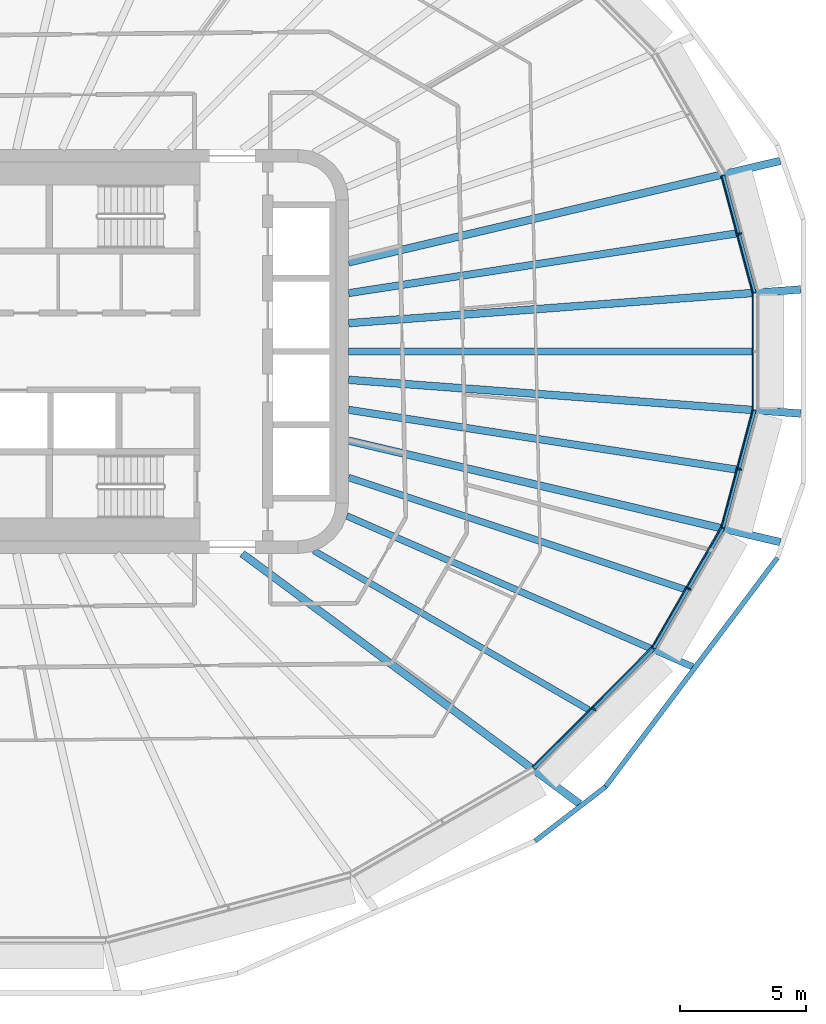
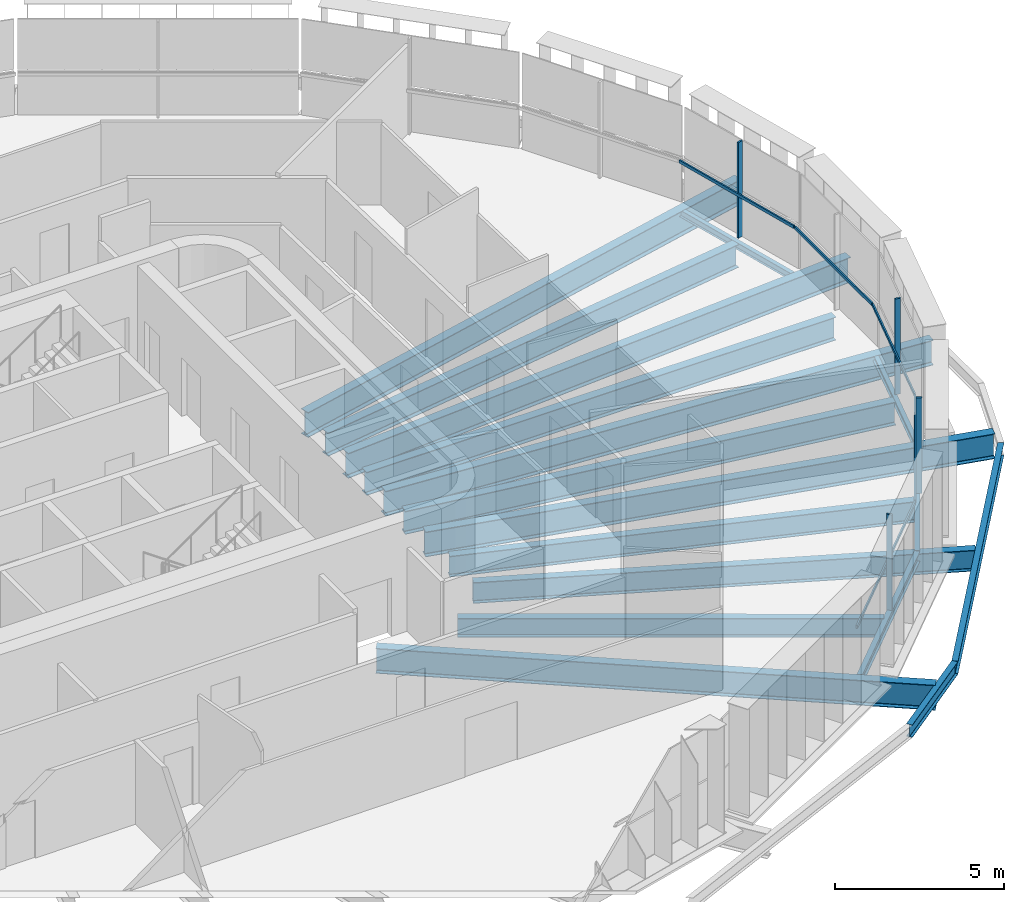
# One storey, part 4 of 23: 17 beams, 9 members, 5 elements without a shape of their own.
"""IFC4 building model written with IfcOpenShell, lengths in metres."""

from ifc_helpers import new_model, si_unit, direction, frame, origin, origin_2d, place, context, subcontext, project, spatial, rectangle, i_section, extrude, material, layer, layer_set, material_profile, profile_set, type_object, element, aggregate, save


model = new_model("IFC4")

# Units and contexts
model_context = context("Model", 3, precision=1e-05, world=origin(), true_north=direction((0.0, 1.0)))
body_context = subcontext(model_context, "Body", "Model", "MODEL_VIEW")
ifc_project = project(units=[si_unit("LENGTHUNIT", "METRE"), si_unit("AREAUNIT", "SQUARE_METRE"), si_unit("VOLUMEUNIT", "CUBIC_METRE"), si_unit("PLANEANGLEUNIT", "RADIAN"), si_unit("MASSUNIT", "GRAM", prefix="KILO")], contexts=[model_context])

# Site, building, storey
site_placement = place(None, origin())
site = spatial("IfcSite", under=ifc_project, at=site_placement, CompositionType="ELEMENT")
building_placement = place(site_placement, origin())
building = spatial("IfcBuilding", under=site, at=building_placement, Name="Sahrelin Media Tower", CompositionType="ELEMENT")
storey_placement = place(building_placement, frame((0.0, 0.0, 169.60009765625)))
storey = spatial("IfcBuildingStorey", under=building, at=storey_placement, Name="L35", CompositionType="ELEMENT", Elevation=169.60009765625)

# Beams
ifc_material_1 = material(Name="Steel S355", Category="steel")
ifc_material_profile_1 = material_profile(ifc_material_1, i_section(OverallWidth=0.14599609375, OverallDepth=0.25146484375, WebThickness=0.006103515625, FlangeThickness=0.008544921875, FilletRadius=0.007568359375, at=origin_2d()), Name="UB 254x146x31")
ifc_profile_set_1 = profile_set([ifc_material_profile_1], Name="Steel S355")
beam_type_1 = type_object("IfcBeamType", Name="Edge beam EB1", PredefinedType="BEAM", material=ifc_profile_set_1)
for number, where, z_axis, x_axis, name in (
    (1, (31.062744140625, -2.32666015625, -0.27587890625), (-0.258802892951, -0.9659301541, 0.0), (0.9659301541, -0.258802892951, 0.0), "Edge beam L35-02"),
    (2, (29.81787109375, 6.972900390625, -0.27587890625), (0.258802892951, -0.9659301541, 0.0), (0.9659301541, 0.258802892951, 0.0), "Edge beam L35-24"),
):
    element("IfcBeam", number, at=place(storey_placement, frame(where, z_axis=z_axis, x_axis=x_axis)), inside=storey, type_object=beam_type_1, Name=name, PredefinedType="BEAM", context=body_context, shape_type="SweptSolid", body=[
        extrude(i_section(OverallWidth=0.14599609375, OverallDepth=0.25146484375, WebThickness=0.006103515625, FlangeThickness=0.008544921875, FilletRadius=0.007568359375, at=origin_2d()), origin(), (0.0, 0.0, 1.0), 4.81005859375),
    ])
ifc_material_profile_2 = material_profile(ifc_material_1, i_section(OverallWidth=0.1650390625, OverallDepth=0.303466796875, WebThickness=0.006103515625, FlangeThickness=0.01025390625, FilletRadius=0.0087890625, at=origin_2d()), Name="UB 305x165x40")
ifc_profile_set_2 = profile_set([ifc_material_profile_2], Name="Steel S355")
beam_type_2 = type_object("IfcBeamType", Name="Edge beam EB2", PredefinedType="BEAM", material=ifc_profile_set_2)
beam_1_placement = place(storey_placement, frame((29.806884765625, -6.99951171875, -0.3017578125), z_axis=(-0.500008994894, -0.866020210518, 0.0), x_axis=(0.866020210518, -0.500008994894, 0.0)))
element("IfcBeam", 3, at=beam_1_placement, inside=storey, type_object=beam_type_2, Name="Edge beam L35-03", PredefinedType="BEAM", context=body_context, shape_type="SweptSolid", body=[
    extrude(i_section(OverallWidth=0.1650390625, OverallDepth=0.303466796875, WebThickness=0.006103515625, FlangeThickness=0.01025390625, FilletRadius=0.0087890625, at=origin_2d()), origin(), (0.0, 0.0, 1.0), 5.482421875),
])
ifc_material_profile_3 = material_profile(ifc_material_1, i_section(OverallWidth=0.17138671875, OverallDepth=0.35498046875, WebThickness=0.00732421875, FlangeThickness=0.011474609375, FilletRadius=0.01025390625, at=origin_2d()), Name="UB 356x171x51")
ifc_profile_set_3 = profile_set([ifc_material_profile_3], Name="Steel S355")
beam_type_3 = type_object("IfcBeamType", Name="Edge beam EB3", PredefinedType="BEAM", material=ifc_profile_set_3)
beam_2_placement = place(storey_placement, frame((27.048095703125, -11.77001953125, -0.32763671875), z_axis=(-0.707106781187, -0.707106781187, 0.0), x_axis=(0.707106781187, -0.707106781187, 0.0)))
element("IfcBeam", 4, at=beam_2_placement, inside=storey, type_object=beam_type_3, Name="Edge beam L35-04", PredefinedType="BEAM", context=body_context, shape_type="SweptSolid", body=[
    extrude(i_section(OverallWidth=0.17138671875, OverallDepth=0.35498046875, WebThickness=0.00732421875, FlangeThickness=0.011474609375, FilletRadius=0.01025390625, at=origin_2d()), origin(), (0.0, 0.0, 1.0), 6.675048828125),
])

# Curtain wall, member
ifc_material_2 = material(Name="Champagne anodised aluminium 6063-T6", Category="aluminium")
ifc_layer = layer(ifc_material_2, 0.14990234375)
ifc_layer_set = layer_set([ifc_layer], Name="Tower ribbon curtain wall")
curtain_wall_type = type_object("IfcCurtainWallType", Name="Tower ribbon curtain wall", PredefinedType="NOTDEFINED", material=ifc_layer_set)
curtain_wall_1_placement = place(storey_placement, frame((30.585205078125, 4.6884765625, 0.0), z_axis=(0.0, 0.0, 1.0), x_axis=(1.0, 0.0, 0.0)))
curtain_wall_1 = element("IfcCurtainWall", 5, at=curtain_wall_1_placement, inside=storey, type_object=curtain_wall_type, Name="L35:CW:L35-01", PredefinedType="NOTDEFINED")
ifc_material_profile_4 = material_profile(ifc_material_2, rectangle(XDim=0.06005859375, YDim=0.175048828125, at=origin_2d()), Name="Mullion 60x175")
ifc_profile_set_4 = profile_set([ifc_material_profile_4], Name="Champagne anodised aluminium 6063-T6")
member_type_1 = type_object("IfcMemberType", Name="Mullion 60x175 CW1B", PredefinedType="MULLION", material=ifc_profile_set_4)
member_1_placement = place(storey_placement, frame((30.4814453125, 4.66064453125, 0.0), z_axis=(0.0, 0.0, 1.0), x_axis=(-0.258808929937, 0.965928536583, 0.0)))
member_1 = element("IfcMember", 6, at=member_1_placement, type_object=member_type_1, Name="L35:CWM:L35-01", PredefinedType="MULLION", context=body_context, shape_type="SweptSolid", body=[
    extrude(rectangle(XDim=0.06005859375, YDim=0.175048828125, at=origin_2d()), origin(), (0.0, 0.0, 1.0), 3.448486328125),
])

curtain_wall_2_placement = place(storey_placement, frame((24.794189453125, -14.236083984375, 0.0), z_axis=(0.0, 0.0, 1.0), x_axis=(1.0, 0.0, 0.0)))
curtain_wall_2 = element("IfcCurtainWall", 7, at=curtain_wall_2_placement, inside=storey, type_object=curtain_wall_type, Name="L35:CW:L35-21", PredefinedType="NOTDEFINED")
member_2_placement = place(storey_placement, frame((24.71826171875, -14.16015625, 0.0), z_axis=(0.0, 0.0, 1.0), x_axis=(0.707106781187, 0.707106781187, 0.0)))
member_2 = element("IfcMember", 8, at=member_2_placement, type_object=member_type_1, Name="L35:CWM:L35-21", PredefinedType="MULLION", context=body_context, shape_type="SweptSolid", body=[
    extrude(rectangle(XDim=0.06005859375, YDim=0.175048828125, at=origin_2d()), origin(), (0.0, 0.0, 1.0), 3.448486328125),
])

curtain_wall_3_placement = place(storey_placement, frame((28.566162109375, -9.4482421875, 0.0), z_axis=(0.0, 0.0, 1.0), x_axis=(1.0, 0.0, 0.0)))
curtain_wall_3 = element("IfcCurtainWall", 9, at=curtain_wall_3_placement, inside=storey, type_object=curtain_wall_type, Name="L35:CW:L35-22", PredefinedType="NOTDEFINED")
member_3_placement = place(storey_placement, frame((28.47314453125, -9.39453125, 0.0), z_axis=(0.0, 0.0, 1.0), x_axis=(0.500009068969, 0.866020167749, 0.0)))
member_3 = element("IfcMember", 10, at=member_3_placement, type_object=member_type_1, Name="L35:CWM:L35-22", PredefinedType="MULLION", context=body_context, shape_type="SweptSolid", body=[
    extrude(rectangle(XDim=0.06005859375, YDim=0.175048828125, at=origin_2d()), origin(), (0.0, 0.0, 1.0), 3.448486328125),
])

curtain_wall_4_placement = place(storey_placement, frame((30.585205078125, -4.6884765625, 0.0), z_axis=(0.0, 0.0, 1.0), x_axis=(1.0, 0.0, 0.0)))
curtain_wall_4 = element("IfcCurtainWall", 11, at=curtain_wall_4_placement, inside=storey, type_object=curtain_wall_type, Name="L35:CW:L35-23", PredefinedType="NOTDEFINED")
member_4_placement = place(storey_placement, frame((30.4814453125, -4.66064453125, 0.0), z_axis=(0.0, 0.0, 1.0), x_axis=(0.258808929937, 0.965928536583, 0.0)))
member_4 = element("IfcMember", 12, at=member_4_placement, type_object=member_type_1, Name="L35:CWM:L35-23", PredefinedType="MULLION", context=body_context, shape_type="SweptSolid", body=[
    extrude(rectangle(XDim=0.06005859375, YDim=0.175048828125, at=origin_2d()), origin(), (0.0, 0.0, 1.0), 3.448486328125),
])

# Beams
ifc_material_profile_5 = material_profile(ifc_material_1, i_section(OverallWidth=0.30322265625, OverallDepth=0.903076171875, WebThickness=0.01513671875, FlangeThickness=0.020263671875, FilletRadius=0.01904296875, at=origin_2d()), Name="UB 914x305x201")
ifc_profile_set_5 = profile_set([ifc_material_profile_5], Name="Steel S355")
beam_type_4 = type_object("IfcBeamType", Name="Radial primary beam PB11", PredefinedType="BEAM", material=ifc_profile_set_5)
beam_3_placement = place(storey_placement, frame((15.0, 1.120849609375, -0.6015625), z_axis=(0.997220571092, 0.074505923192, 0.0), x_axis=(-0.074505923192, 0.997220571092, 0.0)))
element("IfcBeam", 13, at=beam_3_placement, inside=storey, type_object=beam_type_4, Name="Radial beam L35-01", PredefinedType="BEAM", context=body_context, shape_type="SweptSolid", body=[
    extrude(i_section(OverallWidth=0.30322265625, OverallDepth=0.903076171875, WebThickness=0.01513671875, FlangeThickness=0.020263671875, FilletRadius=0.01904296875, at=origin_2d()), origin(), (0.0, 0.0, 1.0), 17.9501953125),
])
beam_4_placement = place(storey_placement, frame((15.0, 3.52783203125, -0.6015625), z_axis=(0.973441602467, 0.228935463803, 0.0), x_axis=(-0.228935463803, 0.973441602467, 0.0)))
element("IfcBeam", 14, at=beam_4_placement, inside=storey, type_object=beam_type_4, Name="Radial beam L35-02", PredefinedType="BEAM", context=body_context, shape_type="SweptSolid", body=[
    extrude(i_section(OverallWidth=0.30322265625, OverallDepth=0.903076171875, WebThickness=0.01513671875, FlangeThickness=0.020263671875, FilletRadius=0.01904296875, at=origin_2d()), origin(), (0.0, 0.0, 1.0), 17.555419921875),
])
beam_5_placement = place(storey_placement, frame((10.786865234375, -8.0, -0.6015625), z_axis=(0.803209298221, -0.595696922311, 0.0), x_axis=(0.595696922311, 0.803209298221, 0.0)))
element("IfcBeam", 15, at=beam_5_placement, inside=storey, type_object=beam_type_4, Name="Radial beam L35-21", PredefinedType="BEAM", context=body_context, shape_type="SweptSolid", body=[
    extrude(i_section(OverallWidth=0.30322265625, OverallDepth=0.903076171875, WebThickness=0.01513671875, FlangeThickness=0.020263671875, FilletRadius=0.01904296875, at=origin_2d()), origin(), (0.0, 0.0, 1.0), 16.627685546875),
])
beam_6_placement = place(storey_placement, frame((15.0, -3.52783203125, -0.6015625), z_axis=(0.973441602467, -0.228935463803, 0.0), x_axis=(0.228935463803, 0.973441602467, 0.0)))
element("IfcBeam", 16, at=beam_6_placement, inside=storey, type_object=beam_type_4, Name="Radial beam L35-23", PredefinedType="BEAM", context=body_context, shape_type="SweptSolid", body=[
    extrude(i_section(OverallWidth=0.30322265625, OverallDepth=0.903076171875, WebThickness=0.01513671875, FlangeThickness=0.020263671875, FilletRadius=0.01904296875, at=origin_2d()), origin(), (0.0, 0.0, 1.0), 17.555419921875),
])
beam_7_placement = place(storey_placement, frame((15.0, -1.120849609375, -0.6015625), z_axis=(0.997220571092, -0.074505923192, 0.0), x_axis=(0.074505923192, 0.997220571092, 0.0)))
element("IfcBeam", 17, at=beam_7_placement, inside=storey, type_object=beam_type_4, Name="Radial beam L35-24", PredefinedType="BEAM", context=body_context, shape_type="SweptSolid", body=[
    extrude(i_section(OverallWidth=0.30322265625, OverallDepth=0.903076171875, WebThickness=0.01513671875, FlangeThickness=0.020263671875, FilletRadius=0.01904296875, at=origin_2d()), origin(), (0.0, 0.0, 1.0), 17.9501953125),
])
ifc_material_profile_6 = material_profile(ifc_material_1, i_section(OverallWidth=0.26513671875, OverallDepth=0.75390625, WebThickness=0.0126953125, FlangeThickness=0.017578125, FilletRadius=0.0166015625, at=origin_2d()), Name="UB 762x267x147")
ifc_profile_set_6 = profile_set([ifc_material_profile_6], Name="Steel S355")
beam_type_5 = type_object("IfcBeamType", Name="Radial primary beam PB9", PredefinedType="BEAM", material=ifc_profile_set_6)
beam_8_placement = place(storey_placement, frame((14.9326171875, -6.51171875, -0.527099609375), z_axis=(0.916635140425, -0.399724929594, 0.0), x_axis=(0.399724929594, 0.916635140425, 0.0)))
element("IfcBeam", 18, at=beam_8_placement, inside=storey, type_object=beam_type_5, Name="Radial beam L35-22", PredefinedType="BEAM", context=body_context, shape_type="SweptSolid", body=[
    extrude(i_section(OverallWidth=0.26513671875, OverallDepth=0.75390625, WebThickness=0.0126953125, FlangeThickness=0.017578125, FilletRadius=0.0166015625, at=origin_2d()), origin(), (0.0, 0.0, 1.0), 14.931640625),
])
ifc_material_profile_7 = material_profile(ifc_material_1, i_section(OverallWidth=0.291748046875, OverallDepth=0.8349609375, WebThickness=0.013916015625, FlangeThickness=0.018798828125, FilletRadius=0.017822265625, at=origin_2d()), Name="UB 838x292x176")
ifc_profile_set_7 = profile_set([ifc_material_profile_7], Name="Steel S355")
beam_type_6 = type_object("IfcBeamType", Name="Radial secondary beam SB10", PredefinedType="BEAM", material=ifc_profile_set_7)
for number, where, z_axis, x_axis, name in (
    (19, (15.0, 2.309814453125, -0.567626953125), (0.988352436235, 0.152182330737, 0.0), (-0.152182330737, 0.988352436235, 0.0), "Secondary beam L35-01"),
    (20, (15.0, -2.309814453125, -0.567626953125), (0.988352436235, -0.152182330737, 0.0), (0.152182330737, 0.988352436235, 0.0), "Secondary beam L35-23"),
):
    element("IfcBeam", number, at=place(storey_placement, frame(where, z_axis=z_axis, x_axis=x_axis)), inside=storey, type_object=beam_type_6, Name=name, PredefinedType="BEAM", context=body_context, shape_type="SweptSolid", body=[
        extrude(i_section(OverallWidth=0.291748046875, OverallDepth=0.8349609375, WebThickness=0.013916015625, FlangeThickness=0.018798828125, FilletRadius=0.017822265625, at=origin_2d()), origin(), (0.0, 0.0, 1.0), 15.538818359375),
    ])
beam_9_placement = place(storey_placement, frame((15.0, 0.0, -0.567626953125), z_axis=(1.0, 0.0, 0.0), x_axis=(0.0, 1.0, 0.0)))
element("IfcBeam", 21, at=beam_9_placement, inside=storey, type_object=beam_type_6, Name="Secondary beam L35-24", PredefinedType="BEAM", context=body_context, shape_type="SweptSolid", body=[
    extrude(i_section(OverallWidth=0.291748046875, OverallDepth=0.8349609375, WebThickness=0.013916015625, FlangeThickness=0.018798828125, FilletRadius=0.017822265625, at=origin_2d()), origin(), (0.0, 0.0, 1.0), 15.993408203125),
])
ifc_material_profile_8 = material_profile(ifc_material_1, i_section(OverallWidth=0.2529296875, OverallDepth=0.677978515625, WebThickness=0.01171875, FlangeThickness=0.01611328125, FilletRadius=0.01513671875, at=origin_2d()), Name="UB 686x254x125")
ifc_profile_set_8 = profile_set([ifc_material_profile_8], Name="Steel S355")
beam_type_7 = type_object("IfcBeamType", Name="Radial secondary beam SB8", PredefinedType="BEAM", material=ifc_profile_set_8)
beam_10_placement = place(storey_placement, frame((13.62646484375, -7.88671875, -0.489013671875), z_axis=(0.865485648512, -0.500933720386, 0.0), x_axis=(0.500933720386, 0.865485648512, 0.0)))
element("IfcBeam", 22, at=beam_10_placement, inside=storey, type_object=beam_type_7, Name="Secondary beam L35-21", PredefinedType="BEAM", context=body_context, shape_type="SweptSolid", body=[
    extrude(i_section(OverallWidth=0.2529296875, OverallDepth=0.677978515625, WebThickness=0.01171875, FlangeThickness=0.01611328125, FilletRadius=0.01513671875, at=origin_2d()), origin(), (0.0, 0.0, 1.0), 12.57568359375),
])
ifc_material_profile_9 = material_profile(ifc_material_1, i_section(OverallWidth=0.26513671875, OverallDepth=0.75390625, WebThickness=0.0126953125, FlangeThickness=0.017578125, FilletRadius=0.0166015625, at=origin_2d()), Name="UB 762x267x147")
ifc_profile_set_9 = profile_set([ifc_material_profile_9], Name="Steel S355")
beam_type_8 = type_object("IfcBeamType", Name="Radial secondary beam SB9", PredefinedType="BEAM", material=ifc_profile_set_9)
beam_11_placement = place(storey_placement, frame((15.0, -4.9892578125, -0.527099609375), z_axis=(0.948890135418, -0.315606576147, 0.0), x_axis=(0.315606576147, 0.948890135418, 0.0)))
element("IfcBeam", 23, at=beam_11_placement, inside=storey, type_object=beam_type_8, Name="Secondary beam L35-22", PredefinedType="BEAM", context=body_context, shape_type="SweptSolid", body=[
    extrude(i_section(OverallWidth=0.26513671875, OverallDepth=0.75390625, WebThickness=0.0126953125, FlangeThickness=0.017578125, FilletRadius=0.0166015625, at=origin_2d()), origin(), (0.0, 0.0, 1.0), 14.032470703125),
])
ifc_material_profile_10 = material_profile(ifc_material_1, i_section(OverallWidth=0.1904296875, OverallDepth=0.45703125, WebThickness=0.009033203125, FlangeThickness=0.014404296875, FilletRadius=0.01025390625, at=origin_2d()), Name="UB 457x191x74")
ifc_profile_set_10 = profile_set([ifc_material_profile_10], Name="Steel S355")
beam_type_9 = type_object("IfcBeamType", Name="Tie chord TC5", PredefinedType="BEAM", material=ifc_profile_set_10)
beam_12_placement = place(storey_placement, frame((22.38525390625, -19.377685546875, -0.378662109375), z_axis=(0.792466741096, 0.609915128733, 0.0), x_axis=(-0.609915128733, 0.792466741096, 0.0)))
element("IfcBeam", 24, at=beam_12_placement, inside=storey, type_object=beam_type_9, Name="Tie chord L35-21", PredefinedType="BEAM", context=body_context, shape_type="SweptSolid", body=[
    extrude(i_section(OverallWidth=0.1904296875, OverallDepth=0.45703125, WebThickness=0.009033203125, FlangeThickness=0.014404296875, FilletRadius=0.01025390625, at=origin_2d()), origin(), (0.0, 0.0, 1.0), 3.521240234375),
])
beam_13_placement = place(storey_placement, frame((25.17578125, -17.22998046875, -0.378662109375), z_axis=(0.600051716196, 0.799961210241, 0.0), x_axis=(-0.799961210241, 0.600051716196, 0.0)))
element("IfcBeam", 25, at=beam_13_placement, inside=storey, type_object=beam_type_9, Name="Tie chord L35-22", PredefinedType="BEAM", context=body_context, shape_type="SweptSolid", body=[
    extrude(i_section(OverallWidth=0.1904296875, OverallDepth=0.45703125, WebThickness=0.009033203125, FlangeThickness=0.014404296875, FilletRadius=0.01025390625, at=origin_2d()), origin(), (0.0, 0.0, 1.0), 11.32958984375),
])

# Curtain wall, member
curtain_wall_5_placement = place(storey_placement, frame((31.216552734375, 0.0, 0.0), z_axis=(0.0, 0.0, 1.0), x_axis=(1.0, 0.0, 0.0)))
curtain_wall_5 = element("IfcCurtainWall", 26, at=curtain_wall_5_placement, inside=storey, type_object=curtain_wall_type, Name="L35:CW:L35-00", PredefinedType="NOTDEFINED")
ifc_material_profile_11 = material_profile(ifc_material_2, rectangle(XDim=0.050048828125, YDim=0.110107421875, at=origin_2d()), Name="Transom 50x110")
ifc_profile_set_11 = profile_set([ifc_material_profile_11], Name="Champagne anodised aluminium 6063-T6")
member_type_2 = type_object("IfcMemberType", Name="Transom 50x110 CW1B", PredefinedType="USERDEFINED", material=ifc_profile_set_11)
member_5_placement = place(storey_placement, frame((30.99658203125, -2.282470703125, 1.599853515625), z_axis=(0.0, 1.0, 0.0), x_axis=(-1.0, 0.0, 0.0)))
member_5 = element("IfcMember", 27, at=member_5_placement, type_object=member_type_2, Name="L35:CWT:L35-00", ObjectType="TRANSOM", PredefinedType="USERDEFINED", context=body_context, shape_type="SweptSolid", body=[
    extrude(rectangle(XDim=0.050048828125, YDim=0.110107421875, at=origin_2d()), origin(), (0.0, 0.0, 1.0), 4.56494140625),
])
aggregate(curtain_wall_5, [member_5])

# Member
member_6_placement = place(storey_placement, frame((30.9912109375, 2.32373046875, 1.599853515625), z_axis=(-0.258826317767, 0.965923877555, 0.0), x_axis=(-0.965923877555, -0.258826317767, 0.0)))
member_6 = element("IfcMember", 28, at=member_6_placement, type_object=member_type_2, Name="L35:CWT:L35-01", ObjectType="TRANSOM", PredefinedType="USERDEFINED", context=body_context, shape_type="SweptSolid", body=[
    extrude(rectangle(XDim=0.050048828125, YDim=0.110107421875, at=origin_2d()), origin(), (0.0, 0.0, 1.0), 4.778564453125),
])

aggregate(curtain_wall_1, [member_1, member_6])

member_7_placement = place(storey_placement, frame((22.289794921875, -16.429443359375, 1.599853515625), z_axis=(0.707106781187, 0.707106781187, 0.0), x_axis=(-0.707106781187, 0.707106781187, 0.0)))
member_7 = element("IfcMember", 29, at=member_7_placement, type_object=member_type_2, Name="L35:CWT:L35-21", ObjectType="TRANSOM", PredefinedType="USERDEFINED", context=body_context, shape_type="SweptSolid", body=[
    extrude(rectangle(XDim=0.050048828125, YDim=0.110107421875, at=origin_2d()), origin(), (0.0, 0.0, 1.0), 6.6435546875),
])

aggregate(curtain_wall_2, [member_2, member_7])

member_8_placement = place(storey_placement, frame((27.012939453125, -11.698486328125, 1.599853515625), z_axis=(0.499997733992, 0.866026712061, 0.0), x_axis=(-0.866026712061, 0.499997733992, 0.0)))
member_8 = element("IfcMember", 30, at=member_8_placement, type_object=member_type_2, Name="L35:CWT:L35-22", ObjectType="TRANSOM", PredefinedType="USERDEFINED", context=body_context, shape_type="SweptSolid", body=[
    extrude(rectangle(XDim=0.050048828125, YDim=0.110107421875, at=origin_2d()), origin(), (0.0, 0.0, 1.0), 5.45068359375),
])

aggregate(curtain_wall_3, [member_3, member_8])

member_9_placement = place(storey_placement, frame((29.75439453125, -6.939453125, 1.599853515625), z_axis=(0.258826317767, 0.965923877555, 0.0), x_axis=(-0.965923877555, 0.258826317767, 0.0)))
member_9 = element("IfcMember", 31, at=member_9_placement, type_object=member_type_2, Name="L35:CWT:L35-23", ObjectType="TRANSOM", PredefinedType="USERDEFINED", context=body_context, shape_type="SweptSolid", body=[
    extrude(rectangle(XDim=0.050048828125, YDim=0.110107421875, at=origin_2d()), origin(), (0.0, 0.0, 1.0), 4.778564453125),
])

aggregate(curtain_wall_4, [member_4, member_9])

save(model, "model.ifc")
